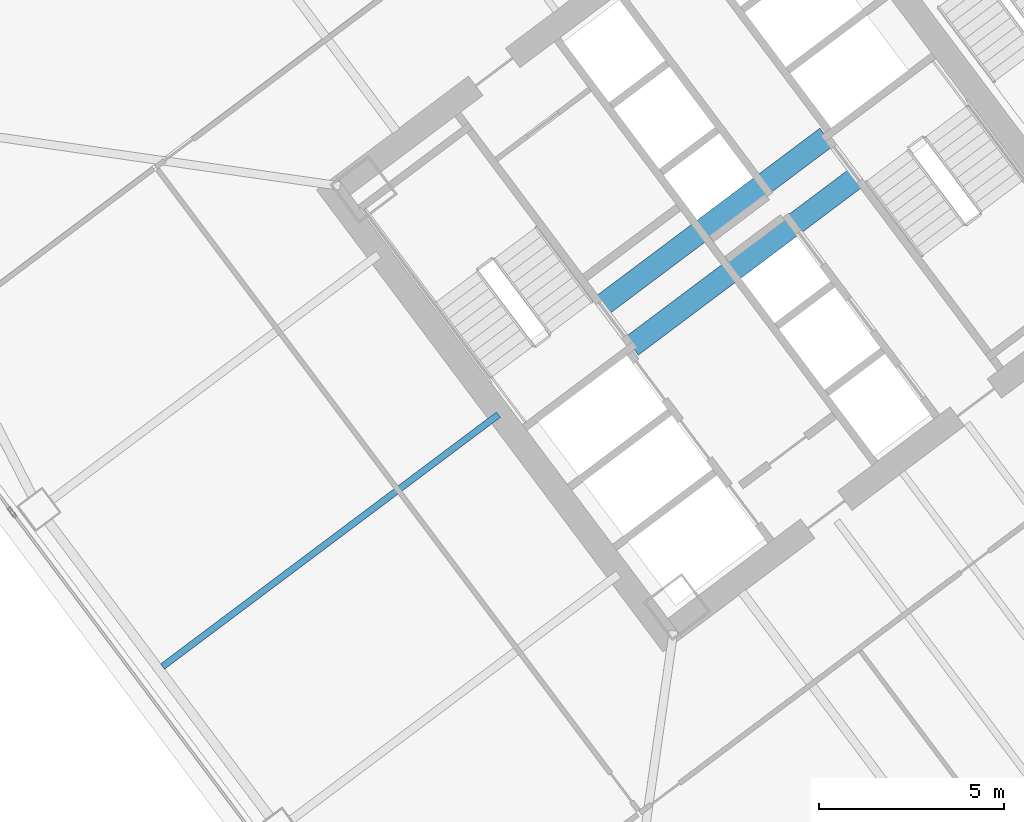
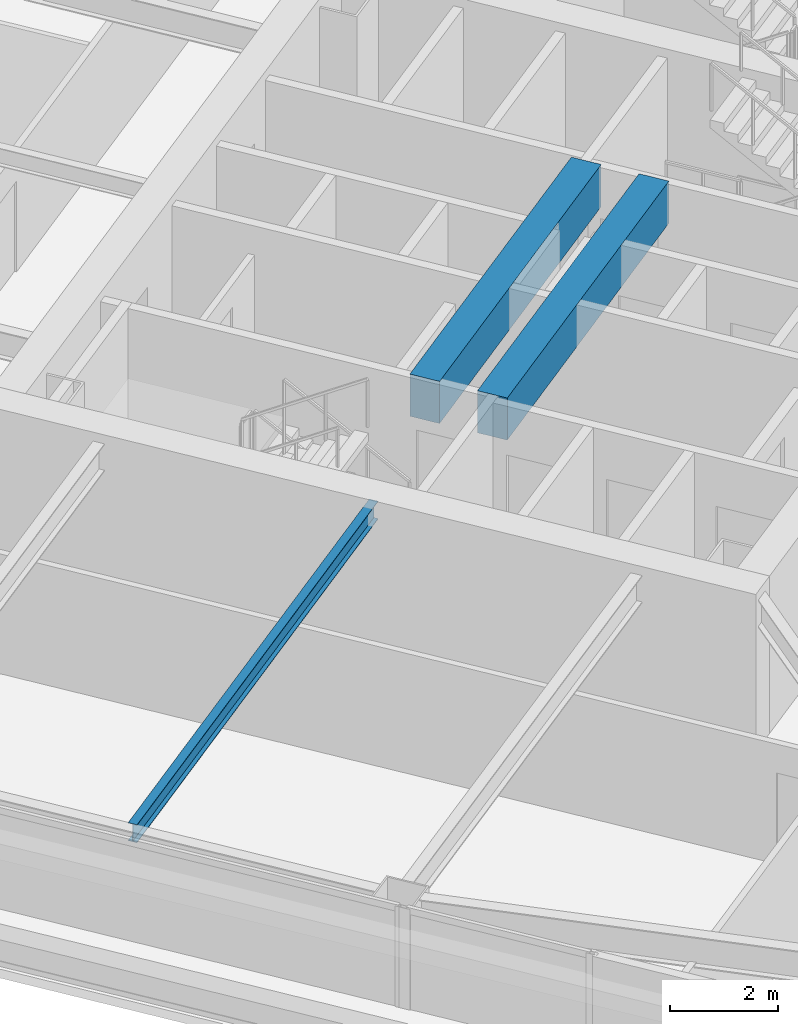
# One storey, part 25 of 48: 3 beams.
"""IFC4 building model written with IfcOpenShell, lengths in metres."""

from ifc_helpers import new_model, si_unit, direction, frame, origin, origin_2d, place, context, subcontext, project, spatial, rectangle, i_section, extrude, material, material_profile, profile_set, type_object, element, save


model = new_model("IFC4")

# Units and contexts
model_context = context("Model", 3, precision=1e-05, world=origin(), true_north=direction((0.0, 1.0)))
body_context = subcontext(model_context, "Body", "Model", "MODEL_VIEW")
ifc_project = project(units=[si_unit("LENGTHUNIT", "METRE"), si_unit("AREAUNIT", "SQUARE_METRE"), si_unit("VOLUMEUNIT", "CUBIC_METRE"), si_unit("PLANEANGLEUNIT", "RADIAN"), si_unit("MASSUNIT", "GRAM", prefix="KILO")], contexts=[model_context])

# Site, building, storey
site_placement = place(None, origin())
site = spatial("IfcSite", under=ifc_project, at=site_placement, CompositionType="ELEMENT")
building_placement = place(site_placement, origin())
building = spatial("IfcBuilding", under=site, at=building_placement, Name="Tashvorn Skyway Center", CompositionType="ELEMENT")
storey_placement = place(building_placement, frame((0.0, 0.0, 77.85009765625)))
storey = spatial("IfcBuildingStorey", under=building, at=storey_placement, Name="L20", CompositionType="ELEMENT", Elevation=77.85009765625)

# Beams
ifc_material_1 = material(Name="Steel ASTM A992 Grade 50", Category="steel")
ifc_material_profile_1 = material_profile(ifc_material_1, i_section(OverallWidth=0.177978515625, OverallDepth=0.406005859375, WebThickness=0.0078125, FlangeThickness=0.0126953125, at=origin_2d()), Name="W16X40")
ifc_profile_set_1 = profile_set([ifc_material_profile_1], Name="Steel ASTM A992 Grade 50")
beam_type_1 = type_object("IfcBeamType", Name="BM-JOIST-W16X40", PredefinedType="JOIST", material=ifc_profile_set_1)
beam_placement = place(storey_placement, frame((107.76806640625, 27.325927734375, 3.14697265625), z_axis=(-0.800002583493, -0.599996555327, 0.0), x_axis=(0.599996555327, -0.800002583493, 0.0)))
element("IfcBeam", 1, at=beam_placement, inside=storey, type_object=beam_type_1, Name="Tower 2 L20 Secondary Composite Joist JW", PredefinedType="JOIST", context=body_context, shape_type="SweptSolid", body=[
    extrude(i_section(OverallWidth=0.177978515625, OverallDepth=0.406005859375, WebThickness=0.0078125, FlangeThickness=0.0126953125, at=origin_2d()), origin(), (0.0, 0.0, 1.0), 11.340087890625),
])
ifc_material_2 = material(Name="Concrete C60/75", Category="concrete")
ifc_material_profile_2 = material_profile(ifc_material_2, rectangle(XDim=0.60009765625, YDim=0.949951171875, at=origin_2d()), Name="RCB600x950")
ifc_profile_set_2 = profile_set([ifc_material_profile_2], Name="Concrete C60/75")
beam_type_2 = type_object("IfcBeamType", Name="BM-LINTEL-RCB600x950", PredefinedType="LINTEL", material=ifc_profile_set_2)
for number, where, z_axis, x_axis, name in (
    (2, (110.552001953125, 30.263916015625, 2.875), (0.8, 0.6, 0.0), (-0.6, 0.8, 0.0), "Tower 2 L20 Core Coupling Beam CN"),
    (3, (111.367919921875, 29.176025390625, 2.875), (0.8, 0.6, 0.0), (-0.6, 0.8, 0.0), "Tower 2 L20 Core Coupling Beam CS"),
):
    element("IfcBeam", number, at=place(storey_placement, frame(where, z_axis=z_axis, x_axis=x_axis)), inside=storey, type_object=beam_type_2, Name=name, PredefinedType="LINTEL", context=body_context, shape_type="SweptSolid", body=[
        extrude(rectangle(XDim=0.60009765625, YDim=0.949951171875, at=origin_2d()), origin(), (0.0, 0.0, 1.0), 7.60009765625),
    ])

save(model, "model.ifc")
